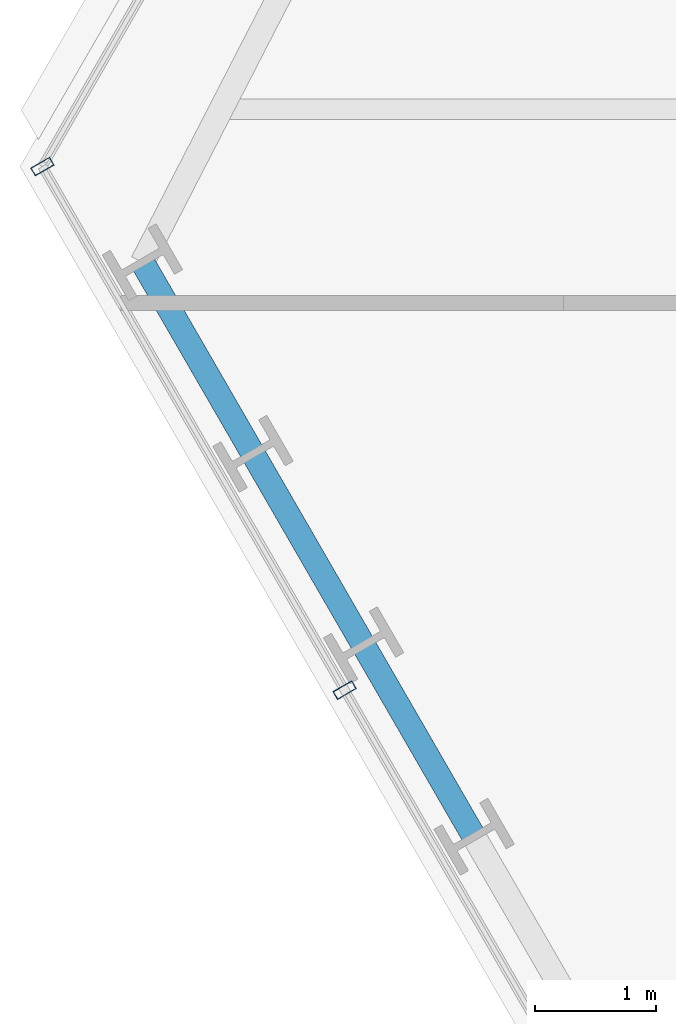
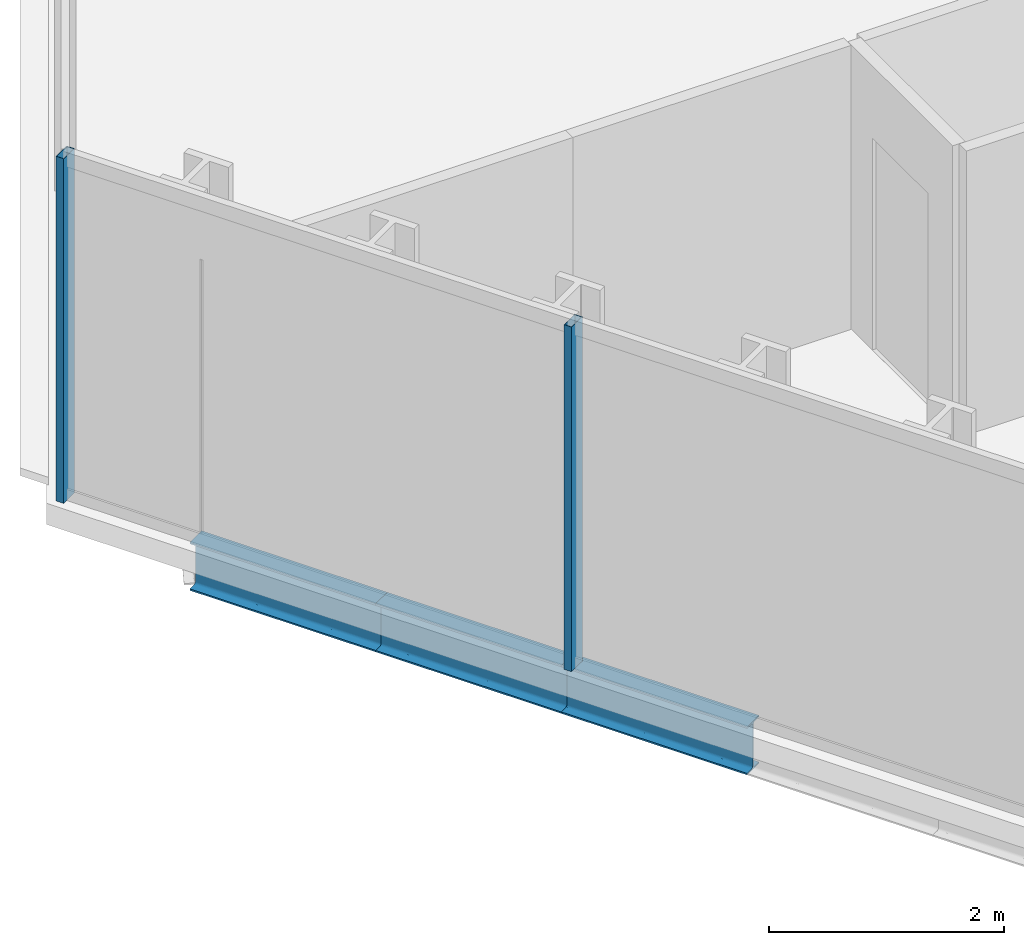
# One storey, part 5 of 32: 3 beams, 2 members, 1 element without a shape of its own.
"""IFC4 building model written with IfcOpenShell, lengths in metres."""

from ifc_helpers import new_model, si_unit, direction, frame, origin, origin_2d, place, context, subcontext, project, spatial, hollow_rectangle, i_section, extrude, material, layer, layer_set, material_profile, profile_set, type_object, element, aggregate, save


model = new_model("IFC4")

# Units and contexts
model_context = context("Model", 3, precision=1e-05, world=origin(), true_north=direction((0.0, 1.0)))
body_context = subcontext(model_context, "Body", "Model", "MODEL_VIEW")
ifc_project = project(units=[si_unit("LENGTHUNIT", "METRE"), si_unit("AREAUNIT", "SQUARE_METRE"), si_unit("VOLUMEUNIT", "CUBIC_METRE"), si_unit("PLANEANGLEUNIT", "RADIAN"), si_unit("MASSUNIT", "GRAM", prefix="KILO")], contexts=[model_context])

# Site, building, storey
site_placement = place(None, origin())
site = spatial("IfcSite", under=ifc_project, at=site_placement, CompositionType="ELEMENT")
building_placement = place(site_placement, origin())
building = spatial("IfcBuilding", under=site, at=building_placement, Name="Ndaravel Arena Tower", CompositionType="ELEMENT")
storey_placement = place(building_placement, frame((0.0, 0.0, 70.199951171875)))
storey = spatial("IfcBuildingStorey", under=building, at=storey_placement, Name="L15", CompositionType="ELEMENT", Elevation=70.199951171875)

# Beams
ifc_material_1 = material(Name="Steel S355", Category="steel")
ifc_material_profile_1 = material_profile(ifc_material_1, i_section(OverallWidth=0.199951171875, OverallDepth=0.5, WebThickness=0.01025390625, FlangeThickness=0.01611328125, FilletRadius=0.02099609375, at=origin_2d()), Name="IPE 500")
ifc_profile_set_1 = profile_set([ifc_material_profile_1], Name="Steel S355")
beam_type = type_object("IfcBeamType", Name="BM-SPAN-IPE500", PredefinedType="SPANDREL", material=ifc_profile_set_1)
for number, where, z_axis, x_axis, name in (
    (1, (19.324462890625, 17.336669921875, -0.469970703125), (0.500065901226, -0.86598735235, 0.0), (0.86598735235, 0.500065901226, 0.0), "L15 Perimeter Spandrel Beam SP-20"),
    (2, (20.2373046875, 15.755859375, -0.469970703125), (0.499907684424, -0.866078695647, 0.0), (0.866078695647, 0.499907684424, 0.0), "L15 Perimeter Spandrel Beam SP-21"),
    (3, (21.14990234375, 14.1748046875, -0.469970703125), (0.499965592563, -0.866045268016, 0.0), (0.866045268016, 0.499965592563, 0.0), "L15 Perimeter Spandrel Beam SP-22"),
):
    element("IfcBeam", number, at=place(storey_placement, frame(where, z_axis=z_axis, x_axis=x_axis)), inside=storey, type_object=beam_type, Name=name, PredefinedType="SPANDREL", context=body_context, shape_type="SweptSolid", body=[
        extrude(i_section(OverallWidth=0.199951171875, OverallDepth=0.5, WebThickness=0.01025390625, FlangeThickness=0.01611328125, FilletRadius=0.02099609375, at=origin_2d()), origin(), (0.0, 0.0, 1.0), 1.825439453125),
    ])

# Curtain wall, members
ifc_material_2 = material(Name="Aluminium", Category="aluminium")
ifc_layer = layer(ifc_material_2, 0.179931640625)
ifc_layer_set = layer_set([ifc_layer], Name="Aluminium")
curtain_wall_type = type_object("IfcCurtainWallType", Name="CW-SYS-02", PredefinedType="NOTDEFINED", material=ifc_layer_set)
curtain_wall_placement = place(storey_placement, origin())
curtain_wall = element("IfcCurtainWall", 4, at=curtain_wall_placement, inside=storey, type_object=curtain_wall_type, Name="L15 Faceted Crystal Curtain Wall CW-L15-E06", PredefinedType="NOTDEFINED")
ifc_material_3 = material(Name="Aluminium", Category="aluminium")
ifc_material_profile_2 = material_profile(ifc_material_3, hollow_rectangle(XDim=0.074951171875, YDim=0.179931640625, WallThickness=0.00390625, at=origin_2d()), Name="CW MULLION 75x180x4")
ifc_profile_set_2 = profile_set([ifc_material_profile_2], Name="Aluminium")
member_type = type_object("IfcMemberType", Name="MEM-CW-MUL180", PredefinedType="MULLION", material=ifc_profile_set_2)
member_1_placement = place(storey_placement, frame((18.49853515625, 18.127197265625, 0.0), z_axis=(0.0, 0.0, 1.0), x_axis=(0.5, -0.866025403784, 0.0)))
member_1 = element("IfcMember", 5, at=member_1_placement, type_object=member_type, Name="CW-L15-E06 Mullion 00", PredefinedType="MULLION", context=body_context, shape_type="SweptSolid", body=[
    extrude(hollow_rectangle(XDim=0.074951171875, YDim=0.179931640625, WallThickness=0.00390625, at=origin_2d()), origin(), (0.0, 0.0, 1.0), 3.580078125),
])
member_2_placement = place(storey_placement, frame((20.994140625, 13.8046875, 0.0), z_axis=(0.0, 0.0, 1.0), x_axis=(0.5, -0.866025403784, 0.0)))
member_2 = element("IfcMember", 6, at=member_2_placement, type_object=member_type, Name="CW-L15-E06 Mullion 01", PredefinedType="MULLION", context=body_context, shape_type="SweptSolid", body=[
    extrude(hollow_rectangle(XDim=0.074951171875, YDim=0.179931640625, WallThickness=0.00390625, at=origin_2d()), origin(), (0.0, 0.0, 1.0), 3.580078125),
])
aggregate(curtain_wall, [member_1, member_2])

save(model, "model.ifc")
